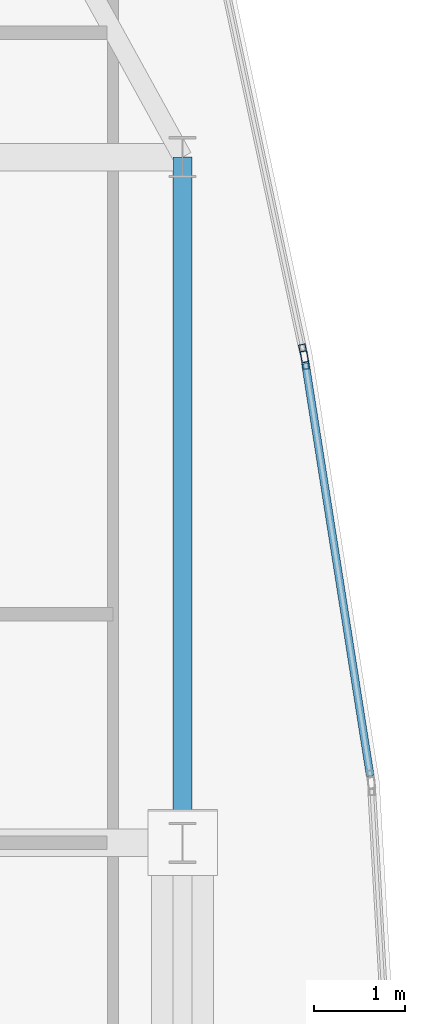
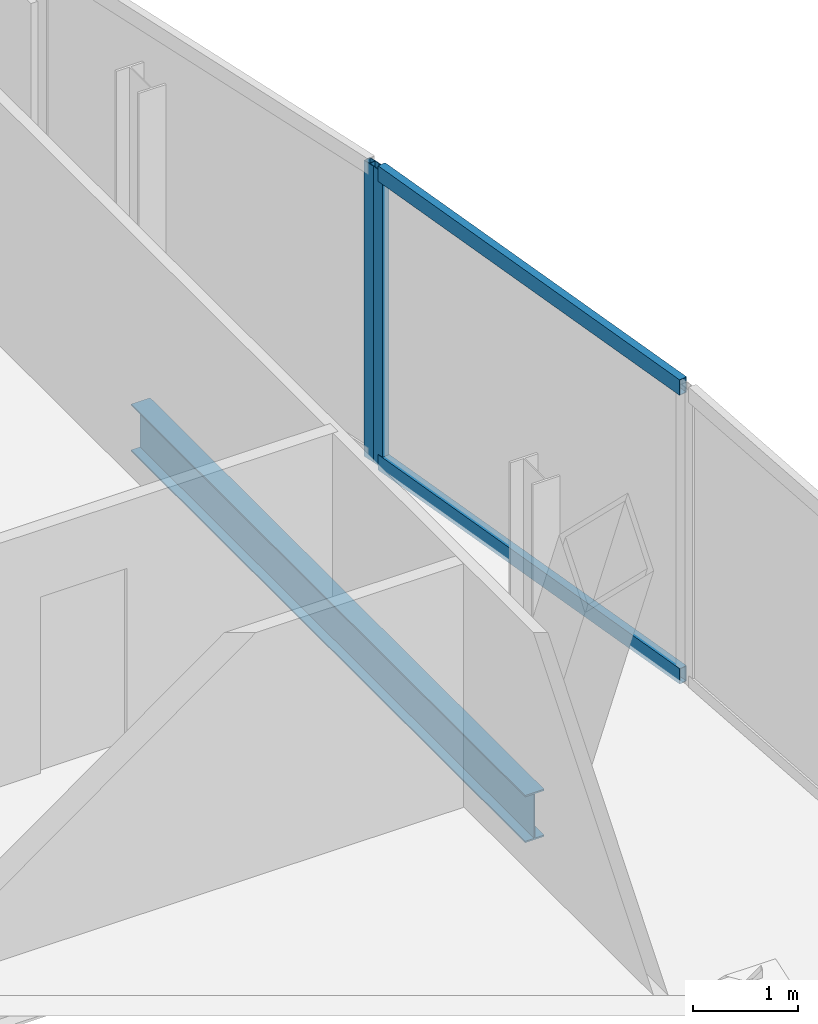
# One storey, part 19 of 29: 4 members, 1 beam, 2 elements without a shape of their own.
"""IFC4 building model written with IfcOpenShell, lengths in metres."""

from ifc_helpers import new_model, si_unit, direction, frame, origin, origin_2d, place, context, subcontext, project, spatial, hollow_rectangle, i_section, extrude, material, material_profile, profile_set, type_object, element, aggregate, save


model = new_model("IFC4")

# Units and contexts
model_context = context("Model", 3, precision=1e-05, world=origin(), true_north=direction((0.0, 1.0)))
body_context = subcontext(model_context, "Body", "Model", "MODEL_VIEW")
ifc_project = project(units=[si_unit("LENGTHUNIT", "METRE"), si_unit("AREAUNIT", "SQUARE_METRE"), si_unit("VOLUMEUNIT", "CUBIC_METRE"), si_unit("PLANEANGLEUNIT", "RADIAN"), si_unit("MASSUNIT", "GRAM", prefix="KILO")], contexts=[model_context])

# Site, building, storey
site_placement = place(None, origin())
site = spatial("IfcSite", under=ifc_project, at=site_placement, CompositionType="ELEMENT")
building_placement = place(site_placement, origin())
building = spatial("IfcBuilding", under=site, at=building_placement, Name="Khoronbel Lancet Exchange", CompositionType="ELEMENT")
storey_placement = place(building_placement, frame((0.0, 0.0, 314.60009765625)))
storey = spatial("IfcBuildingStorey", under=building, at=storey_placement, Name="L81", CompositionType="ELEMENT", Elevation=314.60009765625)

# Beam
ifc_material_1 = material(Name="Steel S355", Category="steel")
ifc_material_profile_1 = material_profile(ifc_material_1, i_section(OverallWidth=0.2099609375, OverallDepth=0.550048828125, WebThickness=0.010986328125, FlangeThickness=0.01708984375, at=origin_2d()), Name="IPE 550")
ifc_profile_set_1 = profile_set([ifc_material_profile_1], Name="Steel S355")
beam_type = type_object("IfcBeamType", Name="BM-BSP3", PredefinedType="SPANDREL", material=ifc_profile_set_1)
beam_placement = place(storey_placement, frame((61.6298828125, 35.699951171875, -0.43505859375), z_axis=(0.0, 1.0, 0.0), x_axis=(-1.0, 0.0, 0.0)))
element("IfcBeam", 1, at=beam_placement, inside=storey, type_object=beam_type, Name="Level L81 perimeter spandrel beam SP11", PredefinedType="SPANDREL", context=body_context, shape_type="SweptSolid", body=[
    extrude(i_section(OverallWidth=0.2099609375, OverallDepth=0.550048828125, WebThickness=0.010986328125, FlangeThickness=0.01708984375, at=origin_2d()), origin(), (0.0, 0.0, 1.0), 7.5),
])

# Curtain wall, member
ifc_material_2 = material(Name="Low-E Solar Control Insulating Glass", Category="glass")
curtain_wall_type = type_object("IfcCurtainWallType", Name="CW-4", PredefinedType="NOTDEFINED", material=ifc_material_2)
curtain_wall_1_placement = place(storey_placement, origin())
curtain_wall_1 = element("IfcCurtainWall", 2, at=curtain_wall_1_placement, inside=storey, type_object=curtain_wall_type, Name="Unitised curtain wall CW-L81-E17", PredefinedType="NOTDEFINED")
ifc_material_3 = material(Name="Bronze-Anodised Aluminium 6063-T6", Category="aluminium")
ifc_material_profile_2 = material_profile(ifc_material_3, hollow_rectangle(XDim=0.074951171875, YDim=0.199951171875, WallThickness=0.0048828125, at=origin_2d()), Name="ALU MULLION 75x200")
ifc_profile_set_2 = profile_set([ifc_material_profile_2], Name="Bronze-Anodised Aluminium 6063-T6")
member_type_1 = type_object("IfcMemberType", Name="MEM-CWM2", PredefinedType="MULLION", material=ifc_profile_set_2)
member_1_placement = place(storey_placement, frame((62.954833984375, 41.053466796875, 0.0), z_axis=(0.0, 0.0, 1.0), x_axis=(0.977746046147, 0.209791966588, 0.0)))
member_1 = element("IfcMember", 3, at=member_1_placement, type_object=member_type_1, Name="CW4 mullion 2", PredefinedType="MULLION", context=body_context, shape_type="SweptSolid", body=[
    extrude(hollow_rectangle(XDim=0.074951171875, YDim=0.199951171875, WallThickness=0.0048828125, at=origin_2d()), origin(), (0.0, 0.0, 1.0), 3.43994140625),
])
aggregate(curtain_wall_1, [member_1])

# Curtain wall, members
curtain_wall_2_placement = place(storey_placement, origin())
curtain_wall_2 = element("IfcCurtainWall", 4, at=curtain_wall_2_placement, inside=storey, type_object=curtain_wall_type, Name="Unitised curtain wall CW-L81-E18", PredefinedType="NOTDEFINED")
member_2_placement = place(storey_placement, frame((62.968505859375, 40.979736328125, 0.0), z_axis=(0.0, 0.0, 1.0), x_axis=(0.987888641158, 0.155164534193, 0.0)))
member_2 = element("IfcMember", 5, at=member_2_placement, type_object=member_type_1, Name="CW4 mullion 1", PredefinedType="MULLION", context=body_context, shape_type="SweptSolid", body=[
    extrude(hollow_rectangle(XDim=0.074951171875, YDim=0.199951171875, WallThickness=0.0048828125, at=origin_2d()), origin(), (0.0, 0.0, 1.0), 3.43994140625),
])
ifc_material_profile_3 = material_profile(ifc_material_3, hollow_rectangle(XDim=0.0849609375, YDim=0.179931640625, WallThickness=0.0048828125, at=origin_2d()), Name="ALU TRANSOM 85x180")
ifc_profile_set_3 = profile_set([ifc_material_profile_3], Name="Bronze-Anodised Aluminium 6063-T6")
member_type_2 = type_object("IfcMemberType", Name="MEM-CWT1", PredefinedType="USERDEFINED", material=ifc_profile_set_3)
member_3_placement = place(storey_placement, frame((62.974365234375, 40.94287109375, 0.04248046875), z_axis=(0.155185665026, -0.987885321973, 0.0), x_axis=(0.987885321973, 0.155185665026, 0.0)))
member_3 = element("IfcMember", 6, at=member_3_placement, type_object=member_type_2, Name="CW4 transom 1.1", ObjectType="TRANSOM", PredefinedType="USERDEFINED", context=body_context, shape_type="SweptSolid", body=[
    extrude(hollow_rectangle(XDim=0.0849609375, YDim=0.179931640625, WallThickness=0.0048828125, at=origin_2d()), origin(), (0.0, 0.0, 1.0), 4.567138671875),
])
member_4_placement = place(storey_placement, frame((62.974365234375, 40.94287109375, 3.3974609375), z_axis=(0.155185665026, -0.987885321973, 0.0), x_axis=(0.987885321973, 0.155185665026, 0.0)))
member_4 = element("IfcMember", 7, at=member_4_placement, type_object=member_type_2, Name="CW4 transom 1.2", ObjectType="TRANSOM", PredefinedType="USERDEFINED", context=body_context, shape_type="SweptSolid", body=[
    extrude(hollow_rectangle(XDim=0.0849609375, YDim=0.179931640625, WallThickness=0.0048828125, at=origin_2d()), origin(), (0.0, 0.0, 1.0), 4.567138671875),
])
aggregate(curtain_wall_2, [member_2, member_3, member_4])

save(model, "model.ifc")
